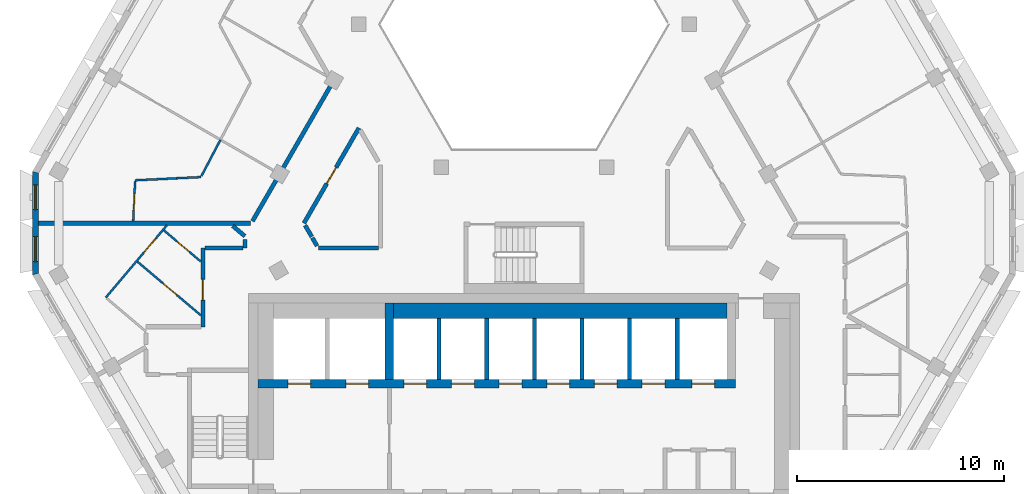
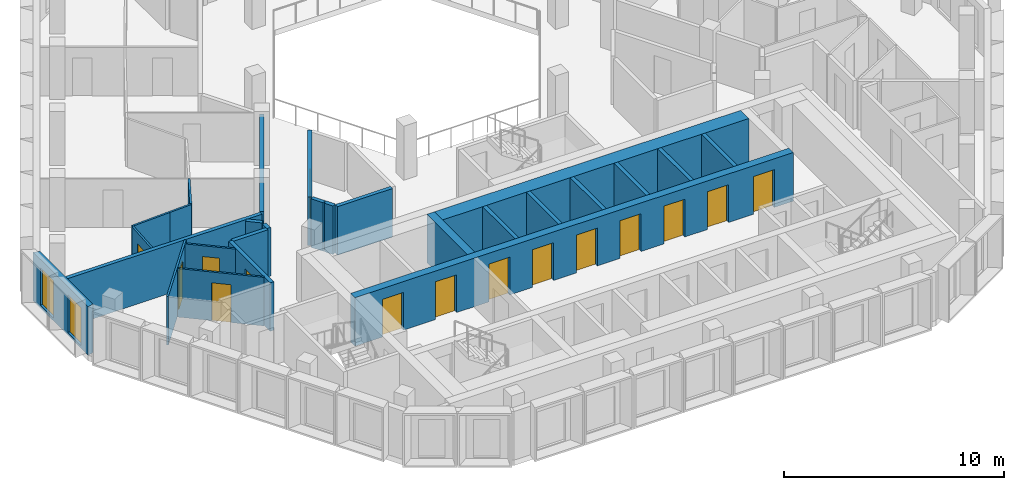
# One storey, part 4 of 16: 27 walls, 15 doors, 2 windows, 17 openings.
"""IFC4 building model written with IfcOpenShell, lengths in metres."""

from ifc_helpers import new_model, si_unit, direction, frame, frame_2d, origin, place, context, subcontext, project, spatial, polyline, rectangle, outline, extrude, material, layer, layer_set, type_object, element, fill, save


model = new_model("IFC4")

# Units and contexts
model_context = context("Model", 3, precision=1e-05, world=origin(), true_north=direction((0.0, 1.0)))
body_context = subcontext(model_context, "Body", "Model", "MODEL_VIEW")
ifc_project = project(units=[si_unit("LENGTHUNIT", "METRE"), si_unit("AREAUNIT", "SQUARE_METRE"), si_unit("VOLUMEUNIT", "CUBIC_METRE"), si_unit("PLANEANGLEUNIT", "RADIAN"), si_unit("MASSUNIT", "GRAM", prefix="KILO")], contexts=[model_context])

# Site, building, storey
site_placement = place(None, origin())
site = spatial("IfcSite", under=ifc_project, at=site_placement, CompositionType="ELEMENT")
building_placement = place(site_placement, origin())
building = spatial("IfcBuilding", under=site, at=building_placement, Name="Beryl Residences", CompositionType="ELEMENT")
storey_placement = place(building_placement, frame((0.0, 0.0, 232.800048828125)))
storey = spatial("IfcBuildingStorey", under=building, at=storey_placement, Name="L72", CompositionType="ELEMENT", Elevation=232.800048828125)

# Wall, openings, windows
ifc_material_1 = material(Name="Composite metal panel with mineral wool insulation")
ifc_layer_1 = layer(ifc_material_1, 0.300048828125)
ifc_layer_set_1 = layer_set([ifc_layer_1], Name="ES1 pale metal composite panel wall 300 mm")
wall_type_1 = type_object("IfcWallType", Name="ES1 pale metal composite panel wall 300 mm", PredefinedType="SOLIDWALL", material=ifc_layer_set_1)
wall_1_placement = place(storey_placement, frame((-23.5791015625, 0.89990234375, 0.0), z_axis=(0.0, 0.0, 1.0), x_axis=(0.0, -1.0, 0.0)))
wall_1 = element("IfcWall", 1, at=wall_1_placement, inside=storey, type_object=wall_type_1, Name="ES1 external wall L72 NW-SW", PredefinedType="SOLIDWALL", context=body_context, shape_type="SweptSolid", body=[
    extrude(outline(polyline([(0.0, -0.14990234375), (5.0, -0.14990234375), (4.919677734375, 0.14990234375), (0.080322265625, 0.14990234375), (0.0, -0.14990234375)])), origin(), (0.0, 0.0, 1.0), 2.699951171875),
])
opening_1_placement = place(wall_1_placement, frame((0.64990234375, 0.0, 0.14990234375)))
opening_1 = element("IfcOpeningElement", 2, at=opening_1_placement, cuts=wall_1, Name="Opening W2", PredefinedType="OPENING", context=body_context, shape_type="SweptSolid", body=[
    extrude(rectangle(XDim=1.199951171875, YDim=2.10009765625, at=frame_2d((0.60009765625, 1.050048828125))), frame((0.0, 0.159912109375, 0.0), z_axis=(0.0, -1.0, 0.0), x_axis=(1.0, 0.0, 0.0)), (0.0, 0.0, 1.0), 0.320068359375),
])
opening_2_placement = place(wall_1_placement, frame((3.14990234375, 0.0, 0.14990234375)))
opening_2 = element("IfcOpeningElement", 3, at=opening_2_placement, cuts=wall_1, Name="Opening W2", PredefinedType="OPENING", context=body_context, shape_type="SweptSolid", body=[
    extrude(rectangle(XDim=1.199951171875, YDim=2.10009765625, at=frame_2d((0.60009765625, 1.050048828125))), frame((0.0, 0.159912109375, 0.0), z_axis=(0.0, -1.0, 0.0), x_axis=(1.0, 0.0, 0.0)), (0.0, 0.0, 1.0), 0.320068359375),
])
ifc_material_2 = material(Name="Aluminium and clear glass", Category="aluminium")
window_type = type_object("IfcWindowType", Name="W2 chamfer window 1200 x 2100 mm", PartitioningType="SINGLE_PANEL", PredefinedType="WINDOW", material=ifc_material_2)
window_1_placement = place(opening_1_placement, origin())
window_1 = element("IfcWindow", 4, at=window_1_placement, inside=storey, type_object=window_type, Name="W2 window L72 NW-SW 1", OverallHeight=2.10009765625, OverallWidth=1.199951171875, PartitioningType="SINGLE_PANEL", PredefinedType="WINDOW", context=body_context, shape_type="SweptSolid", body=[
    extrude(rectangle(XDim=1.199951171875, YDim=2.10009765625, at=frame_2d((0.60009765625, 1.050048828125))), frame((0.0, 0.030029296875, 0.0), z_axis=(0.0, -1.0, 0.0), x_axis=(1.0, 0.0, 0.0)), (0.0, 0.0, 1.0), 0.06005859375),
])
fill(opening_1, window_1)
window_2_placement = place(opening_2_placement, origin())
window_2 = element("IfcWindow", 5, at=window_2_placement, inside=storey, type_object=window_type, Name="W2 window L72 NW-SW 2", OverallHeight=2.10009765625, OverallWidth=1.199951171875, PartitioningType="SINGLE_PANEL", PredefinedType="WINDOW", context=body_context, shape_type="SweptSolid", body=[
    extrude(rectangle(XDim=1.199951171875, YDim=2.10009765625, at=frame_2d((0.60009765625, 1.050048828125))), frame((0.0, 0.030029296875, 0.0), z_axis=(0.0, -1.0, 0.0), x_axis=(1.0, 0.0, 0.0)), (0.0, 0.0, 1.0), 0.06005859375),
])
fill(opening_2, window_2)

# Wall, opening, door
ifc_material_3 = material(Name="Gypsum board partition on steel studs", Category="steel")
ifc_layer_2 = layer(ifc_material_3, 0.10009765625)
ifc_layer_set_2 = layer_set([ifc_layer_2], Name="PT1 partition 100 mm gypsum board on steel studs")
wall_type_2 = type_object("IfcWallType", Name="PT1 partition 100 mm gypsum board on steel studs", PredefinedType="PARTITIONING", material=ifc_layer_set_2)
wall_2_placement = place(storey_placement, frame((-17.3798828125, -1.947021484375, 0.0), z_axis=(0.0, 0.0, 1.0), x_axis=(0.763616683524, -0.645669854217, 0.0)))
wall_2 = element("IfcWall", 6, at=wall_2_placement, inside=storey, type_object=wall_type_2, Name="Wall PT1 L72 017", PredefinedType="PARTITIONING", context=body_context, shape_type="SweptSolid", body=[
    extrude(rectangle(XDim=2.330810546875, YDim=0.10009765625, at=frame_2d((1.16552734375, 0.0))), origin(), (0.0, 0.0, 1.0), 2.699951171875),
])
opening_3_placement = place(wall_2_placement, frame((0.805908203125, 0.0, 0.0)))
opening_3 = element("IfcOpeningElement", 7, at=opening_3_placement, cuts=wall_2, Name="Opening D1934", PredefinedType="OPENING", context=body_context, shape_type="SweptSolid", body=[
    extrude(rectangle(XDim=0.800048828125, YDim=2.10009765625, at=frame_2d((0.39990234375, 1.050048828125))), frame((0.0, 0.06005859375, 0.0), z_axis=(0.0, -1.0, 0.0), x_axis=(1.0, 0.0, 0.0)), (0.0, 0.0, 1.0), 0.1201171875),
])
ifc_material_4 = material(Name="Timber door leaf", Category="wood")
door_type_1 = type_object("IfcDoorType", Name="D3 bathroom door 800 x 2100 mm", OperationType="SINGLE_SWING_LEFT", PredefinedType="DOOR", material=ifc_material_4)
door_1_placement = place(opening_3_placement, origin())
door_1 = element("IfcDoor", 8, at=door_1_placement, inside=storey, type_object=door_type_1, Name="Door D1934 L72 001", OperationType="SINGLE_SWING_RIGHT", OverallHeight=2.10009765625, OverallWidth=0.800048828125, PredefinedType="DOOR", context=body_context, shape_type="SweptSolid", body=[
    extrude(rectangle(XDim=0.800048828125, YDim=2.10009765625, at=frame_2d((0.39990234375, 1.050048828125))), frame((0.0, 0.02490234375, 0.0), z_axis=(0.0, -1.0, 0.0), x_axis=(1.0, 0.0, 0.0)), (0.0, 0.0, 1.0), 0.050048828125),
])
fill(opening_3, door_1)

wall_3_placement = place(storey_placement, frame((-18.658935546875, -3.458984375, 0.0), z_axis=(0.0, 0.0, 1.0), x_axis=(0.763550385572, -0.64574825489, 0.0)))
wall_3 = element("IfcWall", 9, at=wall_3_placement, inside=storey, type_object=wall_type_2, Name="Wall PT1 L72 018", PredefinedType="PARTITIONING", context=body_context, shape_type="SweptSolid", body=[
    extrude(rectangle(XDim=4.006103515625, YDim=0.10009765625, at=frame_2d((2.0029296875, 0.0))), origin(), (0.0, 0.0, 1.0), 2.699951171875),
])
opening_4_placement = place(wall_3_placement, frame((1.593017578125, 0.0, 0.0)))
opening_4 = element("IfcOpeningElement", 10, at=opening_4_placement, cuts=wall_3, Name="Opening D1933", PredefinedType="OPENING", context=body_context, shape_type="SweptSolid", body=[
    extrude(rectangle(XDim=0.89990234375, YDim=2.10009765625, at=frame_2d((0.449951171875, 1.050048828125))), frame((0.0, 0.06005859375, 0.0), z_axis=(0.0, -1.0, 0.0), x_axis=(1.0, 0.0, 0.0)), (0.0, 0.0, 1.0), 0.1201171875),
])
ifc_material_5 = material(Name="Timber door leaf", Category="wood")
door_type_2 = type_object("IfcDoorType", Name="D2 room door 900 x 2100 mm", OperationType="SINGLE_SWING_LEFT", PredefinedType="DOOR", material=ifc_material_5)
door_2_placement = place(opening_4_placement, origin())
door_2 = element("IfcDoor", 11, at=door_2_placement, inside=storey, type_object=door_type_2, Name="Door D1933 L72 001", OperationType="SINGLE_SWING_LEFT", OverallHeight=2.10009765625, OverallWidth=0.89990234375, PredefinedType="DOOR", context=body_context, shape_type="SweptSolid", body=[
    extrude(rectangle(XDim=0.89990234375, YDim=2.10009765625, at=frame_2d((0.449951171875, 1.050048828125))), frame((0.0, 0.02490234375, 0.0), z_axis=(0.0, -1.0, 0.0), x_axis=(1.0, 0.0, 0.0)), (0.0, 0.0, 1.0), 0.050048828125),
])
fill(opening_4, door_2)

wall_4_placement = place(storey_placement, frame((-20.18798828125, -5.19091796875, 0.0), z_axis=(0.0, 0.0, 1.0), x_axis=(0.645563873658, 0.763706281909, 0.0)))
wall_4 = element("IfcWall", 12, at=wall_4_placement, inside=storey, type_object=wall_type_2, Name="Wall PT1 L72 023", PredefinedType="PARTITIONING", context=body_context, shape_type="SweptSolid", body=[
    extrude(rectangle(XDim=4.571044921875, YDim=0.10009765625, at=frame_2d((2.28564453125, 0.0))), origin(), (0.0, 0.0, 1.0), 2.699951171875),
])
opening_5_placement = place(wall_4_placement, frame((2.85009765625, 0.0, 0.0)))
opening_5 = element("IfcOpeningElement", 13, at=opening_5_placement, cuts=wall_4, Name="Opening D1935", PredefinedType="OPENING", context=body_context, shape_type="SweptSolid", body=[
    extrude(rectangle(XDim=0.89990234375, YDim=2.10009765625, at=frame_2d((0.449951171875, 1.050048828125))), frame((0.0, 0.06005859375, 0.0), z_axis=(0.0, -1.0, 0.0), x_axis=(1.0, 0.0, 0.0)), (0.0, 0.0, 1.0), 0.1201171875),
])
door_3_placement = place(opening_5_placement, origin())
door_3 = element("IfcDoor", 14, at=door_3_placement, inside=storey, type_object=door_type_2, Name="Door D1935 L72 001", OperationType="SINGLE_SWING_LEFT", OverallHeight=2.10009765625, OverallWidth=0.89990234375, PredefinedType="DOOR", context=body_context, shape_type="SweptSolid", body=[
    extrude(rectangle(XDim=0.89990234375, YDim=2.10009765625, at=frame_2d((0.449951171875, 1.050048828125))), frame((0.0, 0.02490234375, 0.0), z_axis=(0.0, -1.0, 0.0), x_axis=(1.0, 0.0, 0.0)), (0.0, 0.0, 1.0), 0.050048828125),
])
fill(opening_5, door_3)

# Wall
wall_5_placement = place(storey_placement, frame((-15.572021484375, 0.676025390625, 0.0), z_axis=(0.0, 0.0, 1.0), x_axis=(0.465298498919, 0.885153832339, 0.0)))
element("IfcWall", 15, at=wall_5_placement, inside=storey, type_object=wall_type_2, Name="Wall PT1 L72 025", PredefinedType="PARTITIONING", context=body_context, shape_type="SweptSolid", body=[
    extrude(rectangle(XDim=1.97705078125, YDim=0.10009765625, at=frame_2d((0.988525390625, 0.0))), origin(), (0.0, 0.0, 1.0), 2.699951171875),
])

# Wall, opening, door
wall_6_placement = place(storey_placement, frame((-18.865966796875, -1.5, 0.0), z_axis=(0.0, 0.0, 1.0), x_axis=(0.048923533446, 0.998802526967, 0.0)))
wall_6 = element("IfcWall", 16, at=wall_6_placement, inside=storey, type_object=wall_type_2, Name="Wall PT1 L72 031", PredefinedType="PARTITIONING", context=body_context, shape_type="SweptSolid", body=[
    extrude(rectangle(XDim=1.921142578125, YDim=0.10009765625, at=frame_2d((0.96044921875, 0.0))), origin(), (0.0, 0.0, 1.0), 2.699951171875),
])
opening_6_placement = place(wall_6_placement, frame((0.535888671875, 0.0, 0.0)))
opening_6 = element("IfcOpeningElement", 17, at=opening_6_placement, cuts=wall_6, Name="Opening D1931", PredefinedType="OPENING", context=body_context, shape_type="SweptSolid", body=[
    extrude(rectangle(XDim=0.800048828125, YDim=2.10009765625, at=frame_2d((0.39990234375, 1.050048828125))), frame((0.0, 0.06005859375, 0.0), z_axis=(0.0, -1.0, 0.0), x_axis=(1.0, 0.0, 0.0)), (0.0, 0.0, 1.0), 0.1201171875),
])
door_4_placement = place(opening_6_placement, origin())
door_4 = element("IfcDoor", 18, at=door_4_placement, inside=storey, type_object=door_type_1, Name="Door D1931 L72 001", OperationType="SINGLE_SWING_LEFT", OverallHeight=2.10009765625, OverallWidth=0.800048828125, PredefinedType="DOOR", context=body_context, shape_type="SweptSolid", body=[
    extrude(rectangle(XDim=0.800048828125, YDim=2.10009765625, at=frame_2d((0.39990234375, 1.050048828125))), frame((0.0, 0.02490234375, 0.0), z_axis=(0.0, -1.0, 0.0), x_axis=(1.0, 0.0, 0.0)), (0.0, 0.0, 1.0), 0.050048828125),
])
fill(opening_6, door_4)

# Walls
wall_7_placement = place(storey_placement, frame((-18.76904296875, 0.468994140625, 0.0), z_axis=(0.0, 0.0, 1.0), x_axis=(0.998780383332, 0.049373534108, 0.0)))
element("IfcWall", 19, at=wall_7_placement, inside=storey, type_object=wall_type_2, Name="Wall PT1 L72 038", PredefinedType="PARTITIONING", context=body_context, shape_type="SweptSolid", body=[
    extrude(rectangle(XDim=2.007568359375, YDim=0.10009765625, at=frame_2d((1.00390625, 0.0))), origin(), (0.0, 0.0, 1.0), 2.699951171875),
])
wall_8_placement = place(storey_placement, frame((-16.763916015625, 0.568115234375, 0.0), z_axis=(0.0, 0.0, 1.0), x_axis=(0.998809616198, 0.048778587419, 0.0)))
element("IfcWall", 20, at=wall_8_placement, inside=storey, type_object=wall_type_2, Name="Wall PT1 L72 039", PredefinedType="PARTITIONING", context=body_context, shape_type="SweptSolid", body=[
    extrude(rectangle(XDim=1.166259765625, YDim=0.10009765625, at=frame_2d((0.5830078125, 0.0))), origin(), (0.0, 0.0, 1.0), 2.699951171875),
])
ifc_material_6 = material(Name="Acoustic double stud gypsum board wall")
ifc_layer_3 = layer(ifc_material_6, 0.199951171875)
ifc_layer_set_3 = layer_set([ifc_layer_3], Name="PT3 party wall 200 mm acoustic double stud")
wall_type_3 = type_object("IfcWallType", Name="PT3 party wall 200 mm acoustic double stud", PredefinedType="PARTITIONING", material=ifc_layer_set_3)
wall_9_placement = place(storey_placement, frame((-14.05908203125, -1.72998046875, 0.0), z_axis=(0.0, 0.0, 1.0), x_axis=(0.763289607824, -0.64605647941, 0.0)))
element("IfcWall", 21, at=wall_9_placement, inside=storey, type_object=wall_type_3, Name="Wall PT3 L72 007", PredefinedType="PARTITIONING", context=body_context, shape_type="SweptSolid", body=[
    extrude(rectangle(XDim=0.766357421875, YDim=0.199951171875, at=frame_2d((0.38330078125, 0.0))), origin(), (0.0, 0.0, 1.0), 2.699951171875),
])
wall_10_placement = place(storey_placement, frame((-23.428955078125, -1.60107421875, 0.0), z_axis=(0.0, 0.0, 1.0), x_axis=(0.999999995449, 9.5406191e-05, 0.0)))
element("IfcWall", 22, at=wall_10_placement, inside=storey, type_object=wall_type_3, Name="Wall PT3 L72 008", PredefinedType="PARTITIONING", context=body_context, shape_type="SweptSolid", body=[
    extrude(rectangle(XDim=10.23583984375, YDim=0.199951171875, at=frame_2d((5.117919921875, 0.0))), origin(), (0.0, 0.0, 1.0), 2.699951171875),
])
ifc_material_7 = material(Name="Double stud gypsum board wall")
ifc_layer_4 = layer(ifc_material_7, 0.199951171875)
ifc_layer_set_4 = layer_set([ifc_layer_4], Name="PT4 corridor wall 200 mm double stud")
wall_type_4 = type_object("IfcWallType", Name="PT4 corridor wall 200 mm double stud", PredefinedType="PARTITIONING", material=ifc_layer_set_4)
wall_11_placement = place(storey_placement, frame((-10.56494140625, -1.700927734375, 0.0), z_axis=(0.0, 0.0, 1.0), x_axis=(0.499512735409, -0.866306543416, 0.0)))
element("IfcWall", 23, at=wall_11_placement, inside=storey, type_object=wall_type_4, Name="Wall PT4 L72 003", PredefinedType="PARTITIONING", context=body_context, shape_type="SweptSolid", body=[
    extrude(rectangle(XDim=0.638427734375, YDim=0.199951171875, at=frame_2d((0.3193359375, 0.0))), origin(), (0.0, 0.0, 1.0), 2.699951171875),
])
wall_12_placement = place(storey_placement, frame((-10.217041015625, -2.303955078125, 0.0), z_axis=(0.0, 0.0, 1.0), x_axis=(0.499013081552, -0.866594452117, 0.0)))
element("IfcWall", 24, at=wall_12_placement, inside=storey, type_object=wall_type_4, Name="Wall PT4 L72 004", PredefinedType="PARTITIONING", context=body_context, shape_type="SweptSolid", body=[
    extrude(rectangle(XDim=0.45703125, YDim=0.199951171875, at=frame_2d((0.228515625, 0.0))), origin(), (0.0, 0.0, 1.0), 2.699951171875),
])
wall_13_placement = place(storey_placement, frame((-15.39892578125, -2.800048828125, 0.0), z_axis=(0.0, 0.0, 1.0), x_axis=(1.0, 0.0, 0.0)))
element("IfcWall", 25, at=wall_13_placement, inside=storey, type_object=wall_type_4, Name="Wall PT4 L72 014", PredefinedType="PARTITIONING", context=body_context, shape_type="SweptSolid", body=[
    extrude(rectangle(XDim=1.824951171875, YDim=0.199951171875, at=frame_2d((0.91259765625, 0.0))), origin(), (0.0, 0.0, 1.0), 2.699951171875),
])
wall_14_placement = place(storey_placement, frame((-9.929931640625, -2.800048828125, 0.0), z_axis=(0.0, 0.0, 1.0), x_axis=(1.0, 0.0, 0.0)))
element("IfcWall", 26, at=wall_14_placement, inside=storey, type_object=wall_type_4, Name="Wall PT4 L72 015", PredefinedType="PARTITIONING", context=body_context, shape_type="SweptSolid", body=[
    extrude(rectangle(XDim=2.90087890625, YDim=0.199951171875, at=frame_2d((1.450439453125, 0.0))), origin(), (0.0, 0.0, 1.0), 2.699951171875),
])

# Wall, opening, door
wall_15_placement = place(storey_placement, frame((-10.623046875, -1.60009765625, 0.0), z_axis=(0.0, 0.0, 1.0), x_axis=(0.500040865889, 0.866001808567, 0.0)))
wall_15 = element("IfcWall", 27, at=wall_15_placement, inside=storey, type_object=wall_type_4, Name="Wall PT4 L72 023", PredefinedType="PARTITIONING", context=body_context, shape_type="SweptSolid", body=[
    extrude(rectangle(XDim=5.3095703125, YDim=0.199951171875, at=frame_2d((2.65478515625, 0.0))), origin(), (0.0, 0.0, 1.0), 2.699951171875),
])
opening_7_placement = place(wall_15_placement, frame((2.205078125, 0.0, 0.0)))
opening_7 = element("IfcOpeningElement", 28, at=opening_7_placement, cuts=wall_15, Name="Opening D1937", PredefinedType="OPENING", context=body_context, shape_type="SweptSolid", body=[
    extrude(rectangle(XDim=0.89990234375, YDim=2.10009765625, at=frame_2d((0.449951171875, 1.050048828125))), frame((0.0, 0.10986328125, 0.0), z_axis=(0.0, -1.0, 0.0), x_axis=(1.0, 0.0, 0.0)), (0.0, 0.0, 1.0), 0.219970703125),
])
door_5_placement = place(opening_7_placement, origin())
door_5 = element("IfcDoor", 29, at=door_5_placement, inside=storey, type_object=door_type_2, Name="Door D1937 L72 001", OperationType="SINGLE_SWING_LEFT", OverallHeight=2.10009765625, OverallWidth=0.89990234375, PredefinedType="DOOR", context=body_context, shape_type="SweptSolid", body=[
    extrude(rectangle(XDim=0.89990234375, YDim=2.10009765625, at=frame_2d((0.449951171875, 1.050048828125))), frame((0.0, 0.02490234375, 0.0), z_axis=(0.0, -1.0, 0.0), x_axis=(1.0, 0.0, 0.0)), (0.0, 0.0, 1.0), 0.050048828125),
])
fill(opening_7, door_5)

# Walls
wall_16_placement = place(storey_placement, frame((-13.10595703125, -1.5, 0.0), z_axis=(0.0, 0.0, 1.0), x_axis=(0.500025705601, 0.86601056214, 0.0)))
element("IfcWall", 30, at=wall_16_placement, inside=storey, type_object=wall_type_4, Name="Wall PT4 L72 024", PredefinedType="PARTITIONING", context=body_context, shape_type="SweptSolid", body=[
    extrude(rectangle(XDim=7.7353515625, YDim=0.199951171875, at=frame_2d((3.86767578125, 0.0))), origin(), (0.0, 0.0, 1.0), 2.699951171875),
])
wall_17_placement = place(storey_placement, frame((-13.472900390625, -2.799072265625, 0.0), z_axis=(0.0, 0.0, 1.0), x_axis=(0.0, 1.0, 0.0)))
element("IfcWall", 31, at=wall_17_placement, inside=storey, type_object=wall_type_4, Name="Wall PT4 L72 029", PredefinedType="PARTITIONING", context=body_context, shape_type="SweptSolid", body=[
    extrude(rectangle(XDim=0.412109375, YDim=0.199951171875, at=frame_2d((0.2060546875, 0.0))), origin(), (0.0, 0.0, 1.0), 2.699951171875),
])

# Wall, opening, door
wall_18_placement = place(storey_placement, frame((-15.5, -6.59912109375, 0.0), z_axis=(0.0, 0.0, 1.0), x_axis=(0.0, 1.0, 0.0)))
wall_18 = element("IfcWall", 32, at=wall_18_placement, inside=storey, type_object=wall_type_4, Name="Wall PT4 L72 030", PredefinedType="PARTITIONING", context=body_context, shape_type="SweptSolid", body=[
    extrude(rectangle(XDim=3.798095703125, YDim=0.199951171875, at=frame_2d((1.89892578125, 0.0))), origin(), (0.0, 0.0, 1.0), 2.699951171875),
])
opening_8_placement = place(wall_18_placement, frame((1.291015625, 0.0, 0.0)))
opening_8 = element("IfcOpeningElement", 33, at=opening_8_placement, cuts=wall_18, Name="Opening D1932", PredefinedType="OPENING", context=body_context, shape_type="SweptSolid", body=[
    extrude(rectangle(XDim=1.0, YDim=2.10009765625, at=frame_2d((0.5, 1.050048828125))), frame((0.0, 0.10986328125, 0.0), z_axis=(0.0, -1.0, 0.0), x_axis=(1.0, 0.0, 0.0)), (0.0, 0.0, 1.0), 0.219970703125),
])
ifc_material_8 = material(Name="Timber door leaf", Category="wood")
door_type_3 = type_object("IfcDoorType", Name="D1 flat entrance door 1000 x 2100 mm", OperationType="SINGLE_SWING_LEFT", PredefinedType="DOOR", material=ifc_material_8)
door_6_placement = place(opening_8_placement, origin())
door_6 = element("IfcDoor", 34, at=door_6_placement, inside=storey, type_object=door_type_3, Name="Door D1932 L72 001", OperationType="SINGLE_SWING_RIGHT", OverallHeight=2.10009765625, OverallWidth=1.0, PredefinedType="DOOR", context=body_context, shape_type="SweptSolid", body=[
    extrude(rectangle(XDim=1.0, YDim=2.10009765625, at=frame_2d((0.5, 1.050048828125))), frame((0.0, 0.02490234375, 0.0), z_axis=(0.0, -1.0, 0.0), x_axis=(1.0, 0.0, 0.0)), (0.0, 0.0, 1.0), 0.050048828125),
])
fill(opening_8, door_6)

# Walls
ifc_material_9 = material(Name="Concrete C40/50", Category="concrete")
ifc_layer_5 = layer(ifc_material_9, 0.199951171875)
ifc_layer_set_5 = layer_set([ifc_layer_5], Name="PT6 lift shaft wall 200 mm reinforced concrete C40/50")
wall_type_5 = type_object("IfcWallType", Name="PT6 lift shaft wall 200 mm reinforced concrete C40/50", PredefinedType="SOLIDWALL", material=ifc_layer_set_5)
for number, where, z_axis, x_axis, name in (
    (35, (-4.10009765625, -9.14990234375, 0.0), (0.0, 0.0, 1.0), (0.0, 1.0, 0.0), "Lift shaft wall 16"),
    (36, (-1.800048828125, -9.14990234375, 0.0), (0.0, 0.0, 1.0), (0.0, 1.0, 0.0), "Lift shaft wall 19"),
    (37, (0.5, -9.14990234375, 0.0), (0.0, 0.0, 1.0), (0.0, 1.0, 0.0), "Lift shaft wall 21"),
    (38, (2.800048828125, -9.14990234375, 0.0), (0.0, 0.0, 1.0), (0.0, 1.0, 0.0), "Lift shaft wall 23"),
    (39, (5.10009765625, -9.14990234375, 0.0), (0.0, 0.0, 1.0), (0.0, 1.0, 0.0), "Lift shaft wall 25"),
    (40, (7.39990234375, -9.14990234375, 0.0), (0.0, 0.0, 1.0), (0.0, 1.0, 0.0), "Lift shaft wall 29"),
):
    element("IfcWall", number, at=place(storey_placement, frame(where, z_axis=z_axis, x_axis=x_axis)), inside=storey, type_object=wall_type_5, Name=name, PredefinedType="SOLIDWALL", context=body_context, shape_type="SweptSolid", body=[
        extrude(rectangle(XDim=2.949951171875, YDim=0.199951171875, at=frame_2d((1.47509765625, 0.0))), origin(), (0.0, 0.0, 1.0), 2.699951171875),
    ])
ifc_material_10 = material(Name="Concrete C40/50", Category="concrete")
ifc_layer_6 = layer(ifc_material_10, 0.75)
ifc_layer_set_6 = layer_set([ifc_layer_6], Name="PT6-750 lift shaft wall 750 mm")
wall_type_6 = type_object("IfcWallType", Name="PT6-750 lift shaft wall 750 mm", PredefinedType="SOLIDWALL", material=ifc_layer_set_6)
wall_19_placement = place(storey_placement, frame((-6.300048828125, -5.824951171875, 0.0), z_axis=(0.0, 0.0, 1.0), x_axis=(1.0, 0.0, 0.0)))
element("IfcWall", 41, at=wall_19_placement, inside=storey, type_object=wall_type_6, Name="Lift shaft wall 14", PredefinedType="SOLIDWALL", context=body_context, shape_type="SweptSolid", body=[
    extrude(rectangle(XDim=16.10009765625, YDim=0.75, at=frame_2d((8.050048828125, 0.0))), origin(), (0.0, 0.0, 1.0), 2.699951171875),
])

# Wall, openings, doors
ifc_material_11 = material(Name="Concrete C50/60", Category="concrete")
ifc_layer_7 = layer(ifc_material_11, 0.39990234375)
ifc_layer_set_7 = layer_set([ifc_layer_7], Name="SW10 core internal wall 400 mm C50/60")
wall_type_7 = type_object("IfcWallType", Name="SW10 core internal wall 400 mm C50/60", PredefinedType="SHEAR", material=ifc_layer_set_7)
wall_20_placement = place(storey_placement, frame((-12.85009765625, -9.35009765625, 0.0), z_axis=(0.0, 0.0, 1.0), x_axis=(1.0, 0.0, 0.0)))
wall_20 = element("IfcWall", 42, at=wall_20_placement, inside=storey, type_object=wall_type_7, Name="Core wall SP2 L72", PredefinedType="SHEAR", context=body_context, shape_type="SweptSolid", body=[
    extrude(rectangle(XDim=23.050048828125, YDim=0.39990234375, at=frame_2d((11.52490234375, 0.0))), origin(), (0.0, 0.0, 1.0), 2.699951171875),
])
opening_9_placement = place(wall_20_placement, frame((1.449951171875, 0.0, 0.0)))
opening_9 = element("IfcOpeningElement", 43, at=opening_9_placement, cuts=wall_20, Name="Opening LD-FF1", PredefinedType="OPENING", context=body_context, shape_type="SweptSolid", body=[
    extrude(rectangle(XDim=1.10009765625, YDim=2.10009765625, at=frame_2d((0.550048828125, 1.050048828125))), frame((0.0, 0.2099609375, 0.0), z_axis=(0.0, -1.0, 0.0), x_axis=(1.0, 0.0, 0.0)), (0.0, 0.0, 1.0), 0.419921875),
])
opening_10_placement = place(wall_20_placement, frame((4.25, 0.0, 0.0)))
opening_10 = element("IfcOpeningElement", 44, at=opening_10_placement, cuts=wall_20, Name="Opening LD-FF2", PredefinedType="OPENING", context=body_context, shape_type="SweptSolid", body=[
    extrude(rectangle(XDim=1.10009765625, YDim=2.10009765625, at=frame_2d((0.550048828125, 1.050048828125))), frame((0.0, 0.2099609375, 0.0), z_axis=(0.0, -1.0, 0.0), x_axis=(1.0, 0.0, 0.0)), (0.0, 0.0, 1.0), 0.419921875),
])
opening_11_placement = place(wall_20_placement, frame((7.050048828125, 0.0, 0.0)))
opening_11 = element("IfcOpeningElement", 45, at=opening_11_placement, cuts=wall_20, Name="Opening LD-HR1", PredefinedType="OPENING", context=body_context, shape_type="SweptSolid", body=[
    extrude(rectangle(XDim=1.10009765625, YDim=2.10009765625, at=frame_2d((0.550048828125, 1.050048828125))), frame((0.0, 0.2099609375, 0.0), z_axis=(0.0, -1.0, 0.0), x_axis=(1.0, 0.0, 0.0)), (0.0, 0.0, 1.0), 0.419921875),
])
opening_12_placement = place(wall_20_placement, frame((9.35009765625, 0.0, 0.0)))
opening_12 = element("IfcOpeningElement", 46, at=opening_12_placement, cuts=wall_20, Name="Opening LD-HR2", PredefinedType="OPENING", context=body_context, shape_type="SweptSolid", body=[
    extrude(rectangle(XDim=1.10009765625, YDim=2.10009765625, at=frame_2d((0.550048828125, 1.050048828125))), frame((0.0, 0.2099609375, 0.0), z_axis=(0.0, -1.0, 0.0), x_axis=(1.0, 0.0, 0.0)), (0.0, 0.0, 1.0), 0.419921875),
])
opening_13_placement = place(wall_20_placement, frame((11.64990234375, 0.0, 0.0)))
opening_13 = element("IfcOpeningElement", 47, at=opening_13_placement, cuts=wall_20, Name="Opening LD-HR3", PredefinedType="OPENING", context=body_context, shape_type="SweptSolid", body=[
    extrude(rectangle(XDim=1.10009765625, YDim=2.10009765625, at=frame_2d((0.550048828125, 1.050048828125))), frame((0.0, 0.2099609375, 0.0), z_axis=(0.0, -1.0, 0.0), x_axis=(1.0, 0.0, 0.0)), (0.0, 0.0, 1.0), 0.419921875),
])
opening_14_placement = place(wall_20_placement, frame((13.949951171875, 0.0, 0.0)))
opening_14 = element("IfcOpeningElement", 48, at=opening_14_placement, cuts=wall_20, Name="Opening LD-HR4", PredefinedType="OPENING", context=body_context, shape_type="SweptSolid", body=[
    extrude(rectangle(XDim=1.10009765625, YDim=2.10009765625, at=frame_2d((0.550048828125, 1.050048828125))), frame((0.0, 0.2099609375, 0.0), z_axis=(0.0, -1.0, 0.0), x_axis=(1.0, 0.0, 0.0)), (0.0, 0.0, 1.0), 0.419921875),
])
opening_15_placement = place(wall_20_placement, frame((16.25, 0.0, 0.0)))
opening_15 = element("IfcOpeningElement", 49, at=opening_15_placement, cuts=wall_20, Name="Opening LD-HR5", PredefinedType="OPENING", context=body_context, shape_type="SweptSolid", body=[
    extrude(rectangle(XDim=1.10009765625, YDim=2.10009765625, at=frame_2d((0.550048828125, 1.050048828125))), frame((0.0, 0.2099609375, 0.0), z_axis=(0.0, -1.0, 0.0), x_axis=(1.0, 0.0, 0.0)), (0.0, 0.0, 1.0), 0.419921875),
])
opening_16_placement = place(wall_20_placement, frame((18.550048828125, 0.0, 0.0)))
opening_16 = element("IfcOpeningElement", 50, at=opening_16_placement, cuts=wall_20, Name="Opening LD-HR6", PredefinedType="OPENING", context=body_context, shape_type="SweptSolid", body=[
    extrude(rectangle(XDim=1.10009765625, YDim=2.10009765625, at=frame_2d((0.550048828125, 1.050048828125))), frame((0.0, 0.2099609375, 0.0), z_axis=(0.0, -1.0, 0.0), x_axis=(1.0, 0.0, 0.0)), (0.0, 0.0, 1.0), 0.419921875),
])
opening_17_placement = place(wall_20_placement, frame((20.949951171875, 0.0, 0.0)))
opening_17 = element("IfcOpeningElement", 51, at=opening_17_placement, cuts=wall_20, Name="Opening LD-SL1", PredefinedType="OPENING", context=body_context, shape_type="SweptSolid", body=[
    extrude(rectangle(XDim=1.10009765625, YDim=2.10009765625, at=frame_2d((0.550048828125, 1.050048828125))), frame((0.0, 0.2099609375, 0.0), z_axis=(0.0, -1.0, 0.0), x_axis=(1.0, 0.0, 0.0)), (0.0, 0.0, 1.0), 0.419921875),
])
ifc_material_12 = material(Name="Stainless steel sliding door", Category="steel")
door_type_4 = type_object("IfcDoorType", Name="LD1 lift landing door 1100 x 2100 mm", OperationType="DOUBLE_DOOR_SLIDING", PredefinedType="DOOR", material=ifc_material_12)
door_7_placement = place(opening_9_placement, origin())
door_7 = element("IfcDoor", 52, at=door_7_placement, inside=storey, type_object=door_type_4, Name="Lift landing door FF1", OperationType="DOUBLE_DOOR_SLIDING", OverallHeight=2.10009765625, OverallWidth=1.10009765625, PredefinedType="DOOR", context=body_context, shape_type="SweptSolid", body=[
    extrude(rectangle(XDim=1.10009765625, YDim=2.10009765625, at=frame_2d((0.550048828125, 1.050048828125))), frame((0.0, 0.02490234375, 0.0), z_axis=(0.0, -1.0, 0.0), x_axis=(1.0, 0.0, 0.0)), (0.0, 0.0, 1.0), 0.050048828125),
])
fill(opening_9, door_7)
door_8_placement = place(opening_10_placement, origin())
door_8 = element("IfcDoor", 53, at=door_8_placement, inside=storey, type_object=door_type_4, Name="Lift landing door FF2", OperationType="DOUBLE_DOOR_SLIDING", OverallHeight=2.10009765625, OverallWidth=1.10009765625, PredefinedType="DOOR", context=body_context, shape_type="SweptSolid", body=[
    extrude(rectangle(XDim=1.10009765625, YDim=2.10009765625, at=frame_2d((0.550048828125, 1.050048828125))), frame((0.0, 0.02490234375, 0.0), z_axis=(0.0, -1.0, 0.0), x_axis=(1.0, 0.0, 0.0)), (0.0, 0.0, 1.0), 0.050048828125),
])
fill(opening_10, door_8)
door_9_placement = place(opening_11_placement, origin())
door_9 = element("IfcDoor", 54, at=door_9_placement, inside=storey, type_object=door_type_4, Name="Lift landing door HR1", OperationType="DOUBLE_DOOR_SLIDING", OverallHeight=2.10009765625, OverallWidth=1.10009765625, PredefinedType="DOOR", context=body_context, shape_type="SweptSolid", body=[
    extrude(rectangle(XDim=1.10009765625, YDim=2.10009765625, at=frame_2d((0.550048828125, 1.050048828125))), frame((0.0, 0.02490234375, 0.0), z_axis=(0.0, -1.0, 0.0), x_axis=(1.0, 0.0, 0.0)), (0.0, 0.0, 1.0), 0.050048828125),
])
fill(opening_11, door_9)
door_10_placement = place(opening_12_placement, origin())
door_10 = element("IfcDoor", 55, at=door_10_placement, inside=storey, type_object=door_type_4, Name="Lift landing door HR2", OperationType="DOUBLE_DOOR_SLIDING", OverallHeight=2.10009765625, OverallWidth=1.10009765625, PredefinedType="DOOR", context=body_context, shape_type="SweptSolid", body=[
    extrude(rectangle(XDim=1.10009765625, YDim=2.10009765625, at=frame_2d((0.550048828125, 1.050048828125))), frame((0.0, 0.02490234375, 0.0), z_axis=(0.0, -1.0, 0.0), x_axis=(1.0, 0.0, 0.0)), (0.0, 0.0, 1.0), 0.050048828125),
])
fill(opening_12, door_10)
door_11_placement = place(opening_13_placement, origin())
door_11 = element("IfcDoor", 56, at=door_11_placement, inside=storey, type_object=door_type_4, Name="Lift landing door HR3", OperationType="DOUBLE_DOOR_SLIDING", OverallHeight=2.10009765625, OverallWidth=1.10009765625, PredefinedType="DOOR", context=body_context, shape_type="SweptSolid", body=[
    extrude(rectangle(XDim=1.10009765625, YDim=2.10009765625, at=frame_2d((0.550048828125, 1.050048828125))), frame((0.0, 0.02490234375, 0.0), z_axis=(0.0, -1.0, 0.0), x_axis=(1.0, 0.0, 0.0)), (0.0, 0.0, 1.0), 0.050048828125),
])
fill(opening_13, door_11)
door_12_placement = place(opening_14_placement, origin())
door_12 = element("IfcDoor", 57, at=door_12_placement, inside=storey, type_object=door_type_4, Name="Lift landing door HR4", OperationType="DOUBLE_DOOR_SLIDING", OverallHeight=2.10009765625, OverallWidth=1.10009765625, PredefinedType="DOOR", context=body_context, shape_type="SweptSolid", body=[
    extrude(rectangle(XDim=1.10009765625, YDim=2.10009765625, at=frame_2d((0.550048828125, 1.050048828125))), frame((0.0, 0.02490234375, 0.0), z_axis=(0.0, -1.0, 0.0), x_axis=(1.0, 0.0, 0.0)), (0.0, 0.0, 1.0), 0.050048828125),
])
fill(opening_14, door_12)
door_13_placement = place(opening_15_placement, origin())
door_13 = element("IfcDoor", 58, at=door_13_placement, inside=storey, type_object=door_type_4, Name="Lift landing door HR5", OperationType="DOUBLE_DOOR_SLIDING", OverallHeight=2.10009765625, OverallWidth=1.10009765625, PredefinedType="DOOR", context=body_context, shape_type="SweptSolid", body=[
    extrude(rectangle(XDim=1.10009765625, YDim=2.10009765625, at=frame_2d((0.550048828125, 1.050048828125))), frame((0.0, 0.02490234375, 0.0), z_axis=(0.0, -1.0, 0.0), x_axis=(1.0, 0.0, 0.0)), (0.0, 0.0, 1.0), 0.050048828125),
])
fill(opening_15, door_13)
door_14_placement = place(opening_16_placement, origin())
door_14 = element("IfcDoor", 59, at=door_14_placement, inside=storey, type_object=door_type_4, Name="Lift landing door HR6", OperationType="DOUBLE_DOOR_SLIDING", OverallHeight=2.10009765625, OverallWidth=1.10009765625, PredefinedType="DOOR", context=body_context, shape_type="SweptSolid", body=[
    extrude(rectangle(XDim=1.10009765625, YDim=2.10009765625, at=frame_2d((0.550048828125, 1.050048828125))), frame((0.0, 0.02490234375, 0.0), z_axis=(0.0, -1.0, 0.0), x_axis=(1.0, 0.0, 0.0)), (0.0, 0.0, 1.0), 0.050048828125),
])
fill(opening_16, door_14)
door_15_placement = place(opening_17_placement, origin())
door_15 = element("IfcDoor", 60, at=door_15_placement, inside=storey, type_object=door_type_4, Name="Lift landing door SL1", OperationType="DOUBLE_DOOR_SLIDING", OverallHeight=2.10009765625, OverallWidth=1.10009765625, PredefinedType="DOOR", context=body_context, shape_type="SweptSolid", body=[
    extrude(rectangle(XDim=1.10009765625, YDim=2.10009765625, at=frame_2d((0.550048828125, 1.050048828125))), frame((0.0, 0.02490234375, 0.0), z_axis=(0.0, -1.0, 0.0), x_axis=(1.0, 0.0, 0.0)), (0.0, 0.0, 1.0), 0.050048828125),
])
fill(opening_17, door_15)

# Wall
wall_21_placement = place(storey_placement, frame((-6.5, -9.14990234375, 0.0), z_axis=(0.0, 0.0, 1.0), x_axis=(0.0, 1.0, 0.0)))
element("IfcWall", 61, at=wall_21_placement, inside=storey, type_object=wall_type_7, Name="Core wall XN1 L72", PredefinedType="SHEAR", context=body_context, shape_type="SweptSolid", body=[
    extrude(rectangle(XDim=3.699951171875, YDim=0.39990234375, at=frame_2d((1.85009765625, 0.0))), origin(), (0.0, 0.0, 1.0), 2.699951171875),
])

save(model, "model.ifc")
